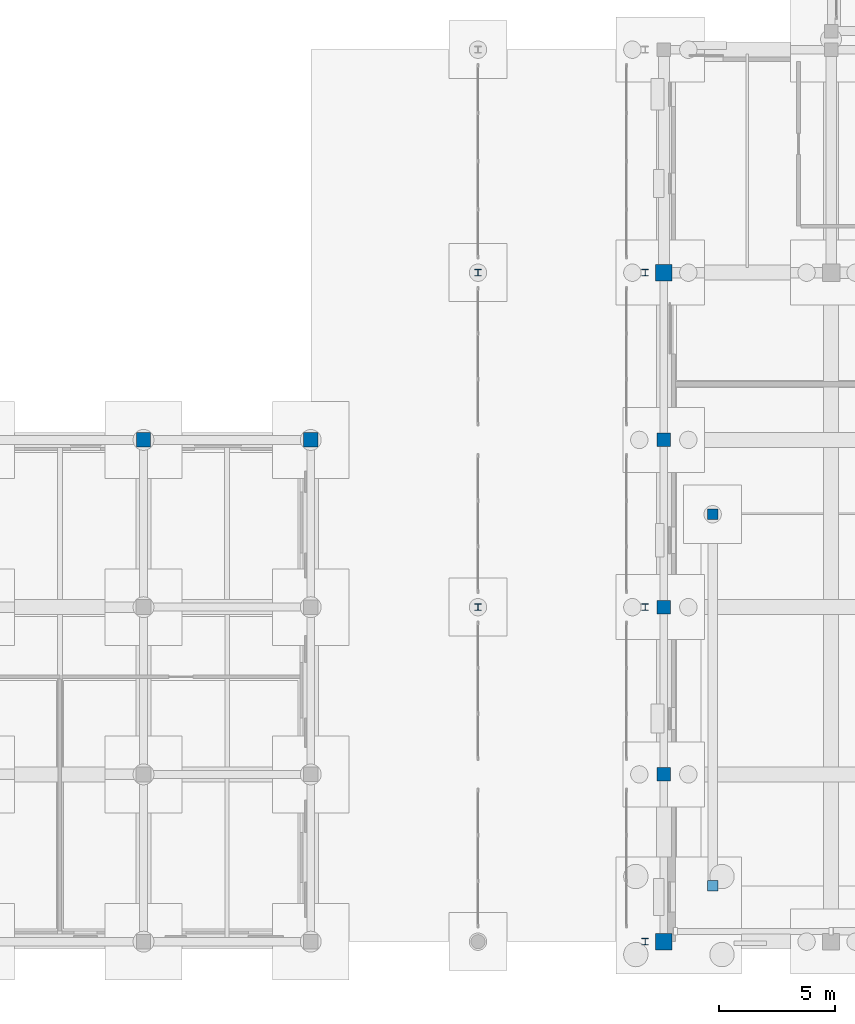
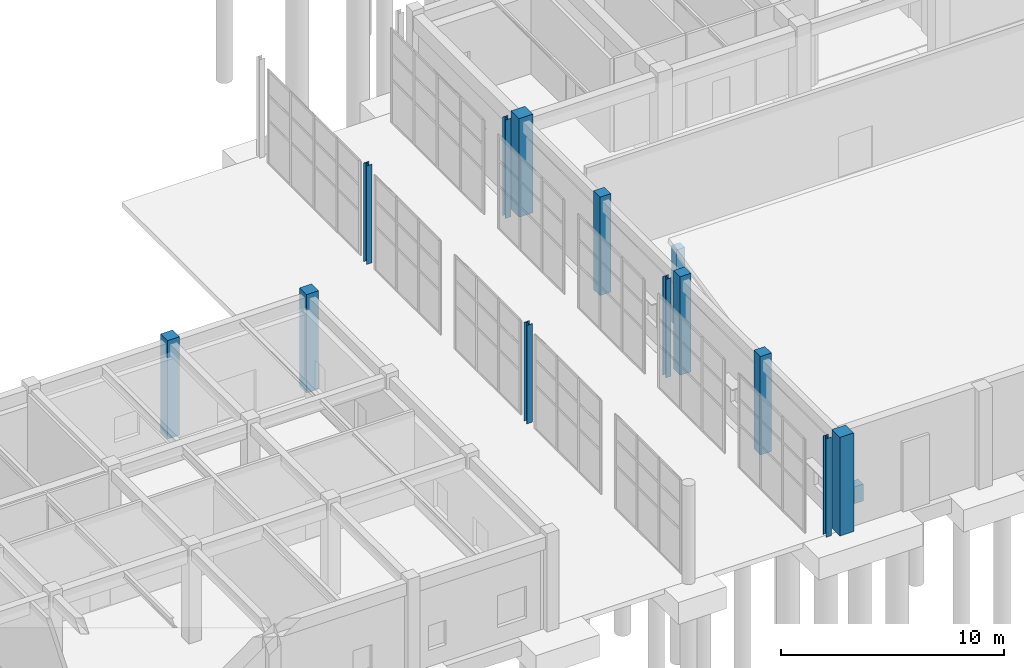
# One storey, part 9 of 91: 14 columns.
"""IFC4 building model written with IfcOpenShell, lengths in metres."""

from ifc_helpers import new_model, si_unit, direction, frame, origin, origin_2d, place, context, subcontext, project, spatial, rectangle, i_section, extrude, material, material_profile, profile_set, type_object, element, save


model = new_model("IFC4")

# Units and contexts
model_context = context("Model", 3, precision=1e-05, world=origin(), true_north=direction((0.0, 1.0)))
body_context = subcontext(model_context, "Body", "Model", "MODEL_VIEW")
ifc_project = project(units=[si_unit("LENGTHUNIT", "METRE"), si_unit("AREAUNIT", "SQUARE_METRE"), si_unit("VOLUMEUNIT", "CUBIC_METRE"), si_unit("PLANEANGLEUNIT", "RADIAN"), si_unit("MASSUNIT", "GRAM", prefix="KILO")], contexts=[model_context])

# Site, building, storey
site_placement = place(None, origin())
site = spatial("IfcSite", under=ifc_project, at=site_placement, CompositionType="ELEMENT")
building_placement = place(site_placement, origin())
building = spatial("IfcBuilding", under=site, at=building_placement, Name="Bramveld Media Centre", CompositionType="ELEMENT")
storey_placement = place(building_placement, origin())
storey = spatial("IfcBuildingStorey", under=building, at=storey_placement, Name="L00", CompositionType="ELEMENT", Elevation=0.0)

# Columns
ifc_material_1 = material(Name="Concrete C40/50", Category="concrete")
ifc_material_profile_1 = material_profile(ifc_material_1, rectangle(XDim=0.580078125, YDim=0.580078125, at=origin_2d()), Name="RC 580x580")
ifc_profile_set_1 = profile_set([ifc_material_profile_1], Name="Concrete C40/50")
column_type_1 = type_object("IfcColumnType", Name="COL-EXT-RC-580x580", PredefinedType="COLUMN", material=ifc_profile_set_1)
for number, where, z_axis, x_axis, name in (
    (1, (124.0, 7.199951171875, 0.0), (0.0, 0.0, 1.0), (1.0, 0.0, 0.0), "V1 L00 column RC 580x580"),
    (2, (124.0, 14.39990234375, 0.0), (0.0, 0.0, 1.0), (1.0, 0.0, 0.0), "V1 L00 column RC 580x580"),
    (3, (124.0, 21.60009765625, 0.0), (0.0, 0.0, 1.0), (1.0, 0.0, 0.0), "V1 L00 column RC 580x580"),
):
    element("IfcColumn", number, at=place(storey_placement, frame(where, z_axis=z_axis, x_axis=x_axis)), inside=storey, type_object=column_type_1, Name=name, PredefinedType="COLUMN", context=body_context, shape_type="SweptSolid", body=[
        extrude(rectangle(XDim=0.580078125, YDim=0.580078125, at=origin_2d()), origin(), (0.0, 0.0, 1.0), 5.39990234375),
    ])
ifc_material_2 = material(Name="Concrete C40/50", Category="concrete")
ifc_material_profile_2 = material_profile(ifc_material_2, rectangle(XDim=0.6201171875, YDim=0.6201171875, at=origin_2d()), Name="RC 620x620")
ifc_profile_set_2 = profile_set([ifc_material_profile_2], Name="Concrete C40/50")
column_type_2 = type_object("IfcColumnType", Name="COL-EXT-RC-620x620", PredefinedType="COLUMN", material=ifc_profile_set_2)
for number, where, z_axis, x_axis, name in (
    (4, (101.60009765625, 21.60009765625, 0.0), (0.0, 0.0, 1.0), (1.0, 0.0, 0.0), "V5 L00 column RC 620x620"),
    (5, (108.800048828125, 21.60009765625, 0.0), (0.0, 0.0, 1.0), (1.0, 0.0, 0.0), "V5 L00 column RC 620x620"),
):
    element("IfcColumn", number, at=place(storey_placement, frame(where, z_axis=z_axis, x_axis=x_axis)), inside=storey, type_object=column_type_2, Name=name, PredefinedType="COLUMN", context=body_context, shape_type="SweptSolid", body=[
        extrude(rectangle(XDim=0.6201171875, YDim=0.6201171875, at=origin_2d()), origin(), (0.0, 0.0, 1.0), 5.39990234375),
    ])
ifc_material_3 = material(Name="Concrete C40/50", Category="concrete")
ifc_material_profile_3 = material_profile(ifc_material_3, rectangle(XDim=0.719970703125, YDim=0.719970703125, at=origin_2d()), Name="RC 720x720")
ifc_profile_set_3 = profile_set([ifc_material_profile_3], Name="Concrete C40/50")
column_type_3 = type_object("IfcColumnType", Name="COL-EXT-RC-720x720", PredefinedType="COLUMN", material=ifc_profile_set_3)
for number, where, z_axis, x_axis, name in (
    (6, (124.0, 0.0, 0.0), (0.0, 0.0, 1.0), (1.0, 0.0, 0.0), "V1 L00 column RC 720x720"),
    (7, (124.0, 28.800048828125, 0.0), (0.0, 0.0, 1.0), (1.0, 0.0, 0.0), "V1 L00 column RC 720x720"),
):
    element("IfcColumn", number, at=place(storey_placement, frame(where, z_axis=z_axis, x_axis=x_axis)), inside=storey, type_object=column_type_3, Name=name, PredefinedType="COLUMN", context=body_context, shape_type="SweptSolid", body=[
        extrude(rectangle(XDim=0.719970703125, YDim=0.719970703125, at=origin_2d()), origin(), (0.0, 0.0, 1.0), 5.39990234375),
    ])
ifc_material_4 = material(Name="Concrete C40/50", Category="concrete")
ifc_material_profile_4 = material_profile(ifc_material_4, rectangle(XDim=0.449951171875, YDim=0.449951171875, at=origin_2d()), Name="RC 450x450")
ifc_profile_set_4 = profile_set([ifc_material_profile_4], Name="Concrete C40/50")
column_type_4 = type_object("IfcColumnType", Name="COL-INT-RC-450x450", PredefinedType="COLUMN", material=ifc_profile_set_4)
column_1_placement = place(storey_placement, frame((126.10009765625, 2.39990234375, -0.550048828125), z_axis=(0.0, 0.0, 1.0), x_axis=(1.0, 0.0, 0.0)))
element("IfcColumn", 8, at=column_1_placement, inside=storey, type_object=column_type_4, Name="Cinema 1 Raked Seating Slab lower raker pedestal 1", PredefinedType="COLUMN", context=body_context, shape_type="SweptSolid", body=[
    extrude(rectangle(XDim=0.449951171875, YDim=0.449951171875, at=origin_2d()), origin(), (0.0, 0.0, 1.0), 0.925048828125),
])
column_2_placement = place(storey_placement, frame((126.10009765625, 18.39990234375, -0.550048828125), z_axis=(0.0, 0.0, 1.0), x_axis=(1.0, 0.0, 0.0)))
element("IfcColumn", 9, at=column_2_placement, inside=storey, type_object=column_type_4, Name="Cinema 1 Raked Seating Slab upper raker column 1", PredefinedType="COLUMN", context=body_context, shape_type="SweptSolid", body=[
    extrude(rectangle(XDim=0.449951171875, YDim=0.449951171875, at=origin_2d()), origin(), (0.0, 0.0, 1.0), 4.195068359375),
])
ifc_material_5 = material(Name="Steel S355J2", Category="steel")
ifc_material_profile_5 = material_profile(ifc_material_5, i_section(OverallWidth=0.280029296875, OverallDepth=0.280029296875, WebThickness=0.010498046875, FlangeThickness=0.01806640625, FilletRadius=0.02392578125, at=origin_2d()), Name="HEB 280")
ifc_profile_set_5 = profile_set([ifc_material_profile_5], Name="Steel S355J2")
column_type_5 = type_object("IfcColumnType", Name="SCOL-EXT-HEB-280", PredefinedType="COLUMN", material=ifc_profile_set_5)
for number, where, z_axis, x_axis, name in (
    (10, (116.0, 14.39990234375, 0.0), (0.0, 0.0, 1.0), (1.0, 0.0, 0.0), "Portal colonnade column 2"),
    (11, (116.0, 28.800048828125, 0.0), (0.0, 0.0, 1.0), (1.0, 0.0, 0.0), "Portal colonnade column 3"),
    (12, (123.199951171875, 0.0, 0.0), (0.0, 0.0, 1.0), (1.0, 0.0, 0.0), "Portal colonnade column 5"),
    (13, (123.199951171875, 14.39990234375, 0.0), (0.0, 0.0, 1.0), (1.0, 0.0, 0.0), "Portal colonnade column 6"),
    (14, (123.199951171875, 28.800048828125, 0.0), (0.0, 0.0, 1.0), (1.0, 0.0, 0.0), "Portal colonnade column 7"),
):
    element("IfcColumn", number, at=place(storey_placement, frame(where, z_axis=z_axis, x_axis=x_axis)), inside=storey, type_object=column_type_5, Name=name, PredefinedType="COLUMN", context=body_context, shape_type="SweptSolid", body=[
        extrude(i_section(OverallWidth=0.280029296875, OverallDepth=0.280029296875, WebThickness=0.010498046875, FlangeThickness=0.01806640625, FilletRadius=0.02392578125, at=origin_2d()), origin(), (0.0, 0.0, 1.0), 5.39990234375),
    ])

save(model, "model.ifc")
